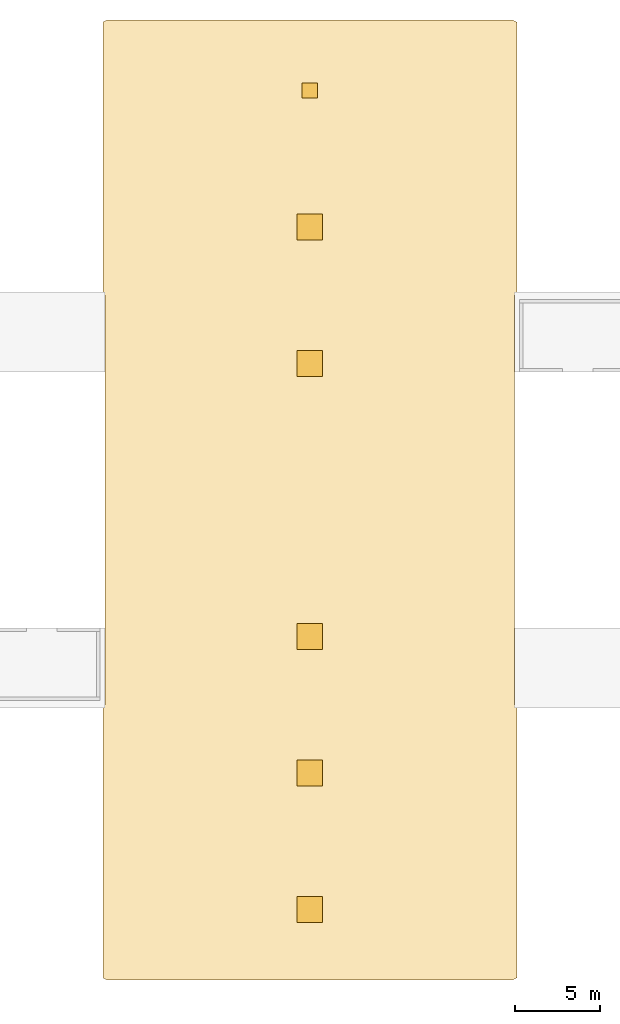
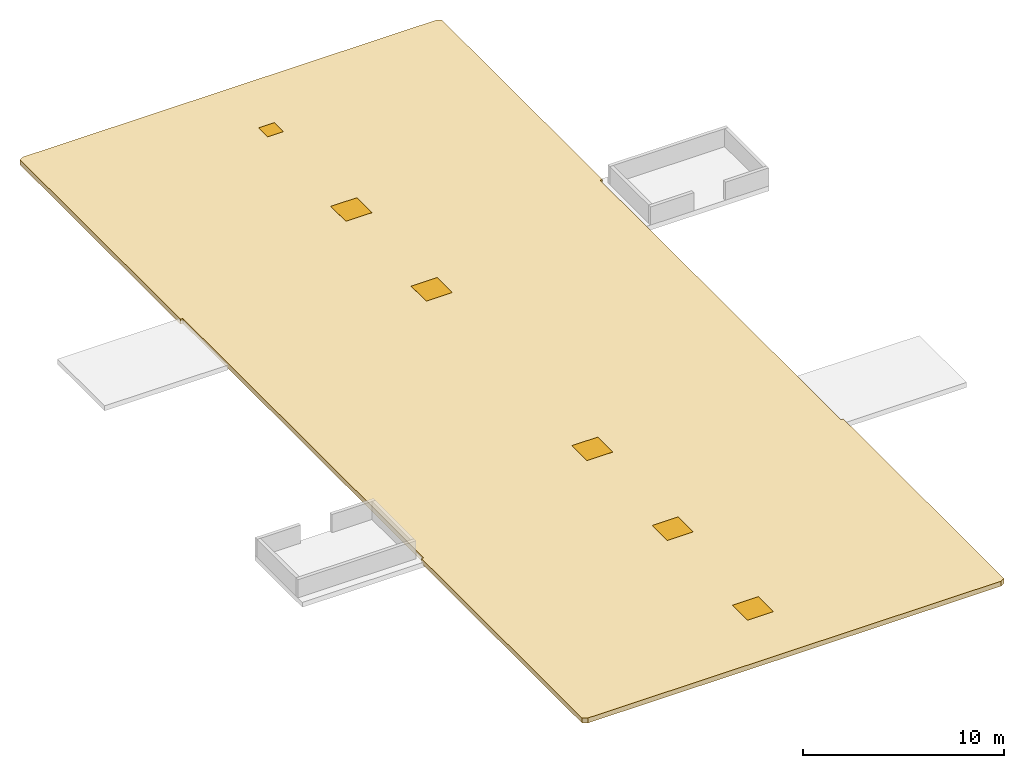
"""IFC4 building model written with IfcOpenShell, lengths in metres."""

from ifc_helpers import new_model, si_unit, direction, frame, origin, origin_2d, place, context, subcontext, project, spatial, polyline, rectangle, outline, extrude, material, layer, layer_set, type_object, element, fill, save


model = new_model("IFC4")

# Units and contexts
model_context = context("Model", 3, precision=1e-05, world=origin(), true_north=direction((0.0, 1.0)))
body_context = subcontext(model_context, "Body", "Model", "MODEL_VIEW")
ifc_project = project(units=[si_unit("LENGTHUNIT", "METRE"), si_unit("AREAUNIT", "SQUARE_METRE"), si_unit("VOLUMEUNIT", "CUBIC_METRE"), si_unit("PLANEANGLEUNIT", "RADIAN"), si_unit("MASSUNIT", "GRAM", prefix="KILO")], contexts=[model_context])

# Site, building, storey
site_placement = place(None, origin())
site = spatial("IfcSite", under=ifc_project, at=site_placement, CompositionType="ELEMENT")
building_placement = place(site_placement, origin())
building = spatial("IfcBuilding", under=site, at=building_placement, Name="Crosswind Convention Tower", CompositionType="ELEMENT")
storey_1_placement = place(building_placement, frame((0.0, 0.0, 361.0)))
storey_1 = spatial("IfcBuildingStorey", under=building, at=storey_1_placement, Name="UPPER ROOF", CompositionType="ELEMENT", Elevation=361.0)

# Covering, openings
ifc_material_1 = material(Name="Terracotta-finished aluminium standing seam roof", Category="masonry")
ifc_layer = layer(ifc_material_1, 0.300048828125)
ifc_layer_set = layer_set([ifc_layer], Name="CANOPY ROOF SHEETING 300")
covering_type = type_object("IfcCoveringType", Name="CANOPY ROOF SHEETING 300", PredefinedType="ROOFING", material=ifc_layer_set)
covering_placement = place(storey_1_placement, frame((0.0, 0.0, -0.199951171875)))
covering = element("IfcCovering", 1, at=covering_placement, inside=storey_1, type_object=covering_type, Name="Canopy roof sheeting", PredefinedType="ROOFING", context=body_context, shape_type="SweptSolid", body=[
    extrude(outline(polyline([(112.8701171875, 88.0), (113.0, 88.0), (113.0, 112.0), (112.8701171875, 112.0), (112.8701171875, 128.0), (113.125, 128.1298828125), (136.875, 128.1298828125), (137.1298828125, 128.0), (137.1298828125, 112.0), (137.0, 112.0), (137.0, 88.0), (137.1298828125, 88.0), (137.1298828125, 72.0), (136.875, 71.8701171875), (113.125, 71.8701171875), (112.8701171875, 72.0), (112.8701171875, 88.0)])), origin(), (0.0, 0.0, 1.0), 0.300048828125),
])
opening_1_placement = place(covering_placement, frame((125.0, 76.0, 0.0)))
opening_1 = element("IfcOpeningElement", 2, at=opening_1_placement, cuts=covering, Name="Opening W12", PredefinedType="OPENING", context=body_context, shape_type="SweptSolid", body=[
    extrude(rectangle(XDim=1.5, YDim=1.5, at=origin_2d()), origin(), (0.0, 0.0, 1.0), 0.300048828125),
])
opening_2_placement = place(covering_placement, frame((125.0, 84.0, 0.0)))
opening_2 = element("IfcOpeningElement", 3, at=opening_2_placement, cuts=covering, Name="Opening W12", PredefinedType="OPENING", context=body_context, shape_type="SweptSolid", body=[
    extrude(rectangle(XDim=1.5, YDim=1.5, at=origin_2d()), origin(), (0.0, 0.0, 1.0), 0.300048828125),
])
opening_3_placement = place(covering_placement, frame((125.0, 92.0, 0.0)))
opening_3 = element("IfcOpeningElement", 4, at=opening_3_placement, cuts=covering, Name="Opening W12", PredefinedType="OPENING", context=body_context, shape_type="SweptSolid", body=[
    extrude(rectangle(XDim=1.5, YDim=1.5, at=origin_2d()), origin(), (0.0, 0.0, 1.0), 0.300048828125),
])
opening_4_placement = place(covering_placement, frame((125.0, 108.0, 0.0)))
opening_4 = element("IfcOpeningElement", 5, at=opening_4_placement, cuts=covering, Name="Opening W12", PredefinedType="OPENING", context=body_context, shape_type="SweptSolid", body=[
    extrude(rectangle(XDim=1.5, YDim=1.5, at=origin_2d()), origin(), (0.0, 0.0, 1.0), 0.300048828125),
])
opening_5_placement = place(covering_placement, frame((125.0, 116.0, 0.0)))
opening_5 = element("IfcOpeningElement", 6, at=opening_5_placement, cuts=covering, Name="Opening W12", PredefinedType="OPENING", context=body_context, shape_type="SweptSolid", body=[
    extrude(rectangle(XDim=1.5, YDim=1.5, at=origin_2d()), origin(), (0.0, 0.0, 1.0), 0.300048828125),
])
opening_6_placement = place(covering_placement, frame((125.0, 124.0, 0.0)))
opening_6 = element("IfcOpeningElement", 7, at=opening_6_placement, cuts=covering, Name="Opening W13", PredefinedType="OPENING", context=body_context, shape_type="SweptSolid", body=[
    extrude(rectangle(XDim=0.89990234375, YDim=0.89990234375, at=origin_2d()), origin(), (0.0, 0.0, 1.0), 0.300048828125),
])

# Storey
storey_2_placement = place(building_placement, frame((0.0, 0.0, 349.10009765625)))
storey_2 = spatial("IfcBuildingStorey", under=building, at=storey_2_placement, Name="L76", CompositionType="ELEMENT", Elevation=349.10009765625)

# Window
ifc_material_2 = material(Name="Aluminium hatch", Category="aluminium")
window_type_1 = type_object("IfcWindowType", Name="ROOF ACCESS HATCH 900X900", PartitioningType="SINGLE_PANEL", PredefinedType="SKYLIGHT", material=ifc_material_2)
window_1_placement = place(opening_6_placement, frame((0.0, 0.0, 0.25)))
window_1 = element("IfcWindow", 8, at=window_1_placement, inside=storey_2, type_object=window_type_1, Name="W13 roof access hatch", ObjectType="W13", OverallHeight=0.89990234375, OverallWidth=0.89990234375, PartitioningType="SINGLE_PANEL", PredefinedType="SKYLIGHT", context=body_context, shape_type="SweptSolid", body=[
    extrude(rectangle(XDim=0.89990234375, YDim=0.89990234375, at=origin_2d()), origin(), (0.0, 0.0, 1.0), 0.050048828125),
])

fill(opening_6, window_1)

ifc_material_3 = material(Name="Aluminium rooflight", Category="aluminium")
window_type_2 = type_object("IfcWindowType", Name="ROOFLIGHT 1500X1500", PartitioningType="SINGLE_PANEL", PredefinedType="SKYLIGHT", material=ifc_material_3)
window_2_placement = place(opening_1_placement, frame((0.0, 0.0, 0.25)))
window_2 = element("IfcWindow", 9, at=window_2_placement, inside=storey_2, type_object=window_type_2, Name="W12 rooflight crown 1", ObjectType="W12", OverallHeight=1.5, OverallWidth=1.5, PartitioningType="SINGLE_PANEL", PredefinedType="SKYLIGHT", context=body_context, shape_type="SweptSolid", body=[
    extrude(rectangle(XDim=1.5, YDim=1.5, at=origin_2d()), origin(), (0.0, 0.0, 1.0), 0.050048828125),
])

fill(opening_1, window_2)

window_3_placement = place(opening_2_placement, frame((0.0, 0.0, 0.25)))
window_3 = element("IfcWindow", 10, at=window_3_placement, inside=storey_2, type_object=window_type_2, Name="W12 rooflight crown 2", ObjectType="W12", OverallHeight=1.5, OverallWidth=1.5, PartitioningType="SINGLE_PANEL", PredefinedType="SKYLIGHT", context=body_context, shape_type="SweptSolid", body=[
    extrude(rectangle(XDim=1.5, YDim=1.5, at=origin_2d()), origin(), (0.0, 0.0, 1.0), 0.050048828125),
])

fill(opening_2, window_3)

window_4_placement = place(opening_3_placement, frame((0.0, 0.0, 0.25)))
window_4 = element("IfcWindow", 11, at=window_4_placement, inside=storey_2, type_object=window_type_2, Name="W12 rooflight crown 3", ObjectType="W12", OverallHeight=1.5, OverallWidth=1.5, PartitioningType="SINGLE_PANEL", PredefinedType="SKYLIGHT", context=body_context, shape_type="SweptSolid", body=[
    extrude(rectangle(XDim=1.5, YDim=1.5, at=origin_2d()), origin(), (0.0, 0.0, 1.0), 0.050048828125),
])

fill(opening_3, window_4)

window_5_placement = place(opening_4_placement, frame((0.0, 0.0, 0.25)))
window_5 = element("IfcWindow", 12, at=window_5_placement, inside=storey_2, type_object=window_type_2, Name="W12 rooflight crown 4", ObjectType="W12", OverallHeight=1.5, OverallWidth=1.5, PartitioningType="SINGLE_PANEL", PredefinedType="SKYLIGHT", context=body_context, shape_type="SweptSolid", body=[
    extrude(rectangle(XDim=1.5, YDim=1.5, at=origin_2d()), origin(), (0.0, 0.0, 1.0), 0.050048828125),
])

fill(opening_4, window_5)

window_6_placement = place(opening_5_placement, frame((0.0, 0.0, 0.25)))
window_6 = element("IfcWindow", 13, at=window_6_placement, inside=storey_2, type_object=window_type_2, Name="W12 rooflight crown 5", ObjectType="W12", OverallHeight=1.5, OverallWidth=1.5, PartitioningType="SINGLE_PANEL", PredefinedType="SKYLIGHT", context=body_context, shape_type="SweptSolid", body=[
    extrude(rectangle(XDim=1.5, YDim=1.5, at=origin_2d()), origin(), (0.0, 0.0, 1.0), 0.050048828125),
])

fill(opening_5, window_6)

save(model, "model.ifc")
